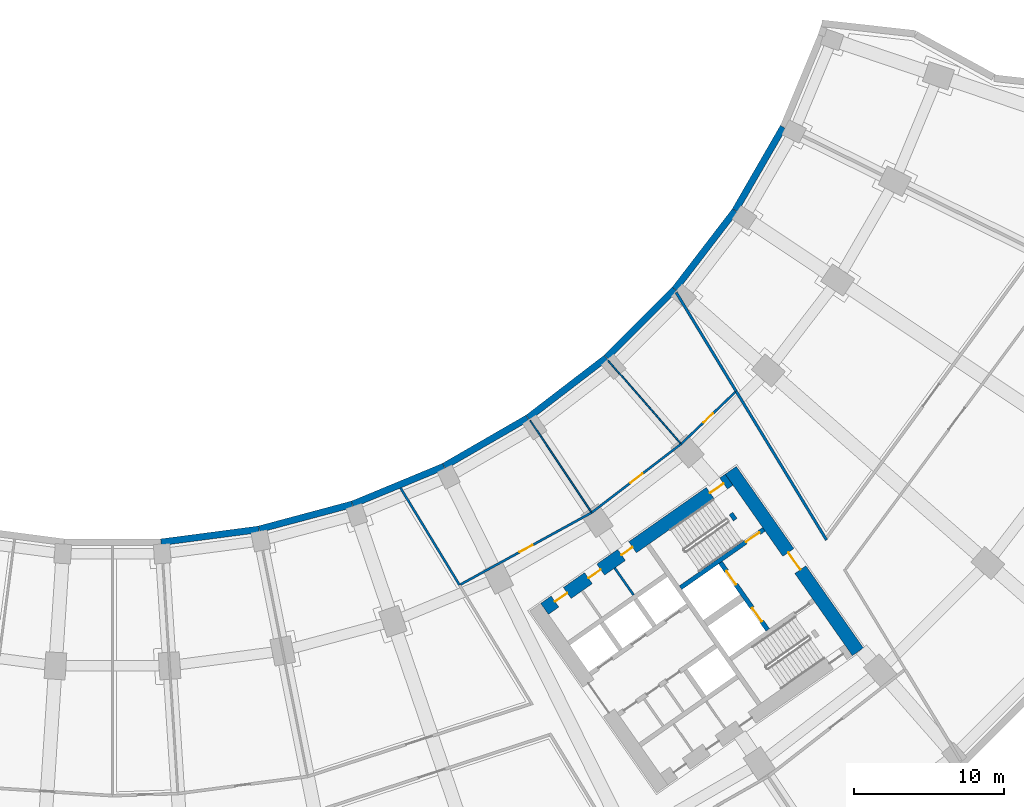
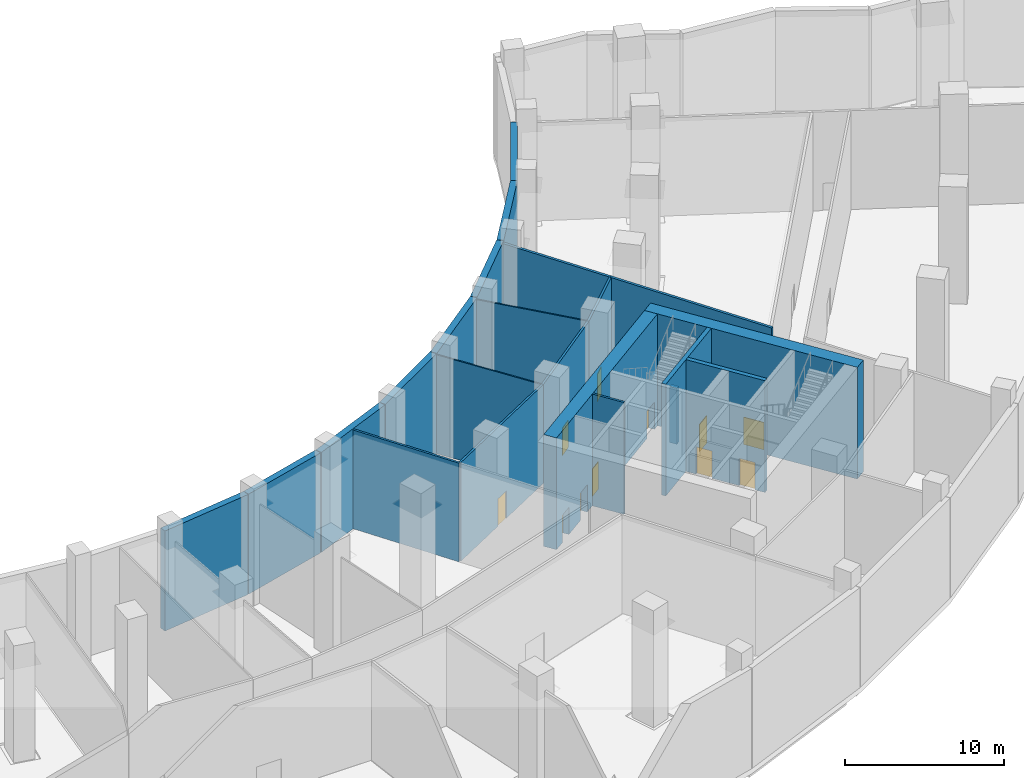
# One storey, part 9 of 19: 22 walls, 11 doors, 11 openings.
"""IFC4 building model written with IfcOpenShell, lengths in metres."""

from ifc_helpers import new_model, si_unit, direction, frame, frame_2d, origin, place, context, subcontext, project, spatial, rectangle, extrude, material, layer, layer_set, type_object, element, fill, save


model = new_model("IFC4")

# Units and contexts
model_context = context("Model", 3, precision=1e-05, world=origin(), true_north=direction((0.0, 1.0)))
body_context = subcontext(model_context, "Body", "Model", "MODEL_VIEW")
ifc_project = project(units=[si_unit("LENGTHUNIT", "METRE"), si_unit("AREAUNIT", "SQUARE_METRE"), si_unit("VOLUMEUNIT", "CUBIC_METRE"), si_unit("PLANEANGLEUNIT", "RADIAN"), si_unit("MASSUNIT", "GRAM", prefix="KILO")], contexts=[model_context])

# Site, building, storey
site_placement = place(None, origin())
site = spatial("IfcSite", under=ifc_project, at=site_placement, CompositionType="ELEMENT")
building_placement = place(site_placement, origin())
building = spatial("IfcBuilding", under=site, at=building_placement, Name="Qamariyya Broadcast Tower", CompositionType="ELEMENT")
storey_placement = place(building_placement, frame((0.0, 0.0, 9.0)))
storey = spatial("IfcBuildingStorey", under=building, at=storey_placement, Name="L01", CompositionType="ELEMENT", Elevation=9.0)

# Wall, opening, door
ifc_material_1 = material(Name="Concrete C70/85", Category="concrete")
ifc_layer_1 = layer(ifc_material_1, 0.89990234375)
ifc_layer_set_1 = layer_set([ifc_layer_1], Name="Core wall 900 mm Concrete C70/85")
wall_type_1 = type_object("IfcWallType", Name="Core wall 900 mm Concrete C70/85", PredefinedType="SHEAR", material=ifc_layer_set_1)
wall_1_placement = place(storey_placement, frame((49.778564453125, -57.191162109375, 0.0), z_axis=(0.0, 0.0, 1.0), x_axis=(-0.573577477574, 0.819151315216, 0.0)))
wall_1 = element("IfcWall", 1, at=wall_1_placement, inside=storey, type_object=wall_type_1, Name="k-E-L01-WH", PredefinedType="SHEAR", context=body_context, shape_type="SweptSolid", body=[
    extrude(rectangle(XDim=14.800048828125, YDim=0.89990234375, at=frame_2d((7.39990234375, 0.0))), origin(), (0.0, 0.0, 1.0), 8.60009765625),
])
opening_1_placement = place(wall_1_placement, frame((6.699951171875, 0.0, 0.0)))
opening_1 = element("IfcOpeningElement", 2, at=opening_1_placement, cuts=wall_1, Name="Opening KD2-E1", PredefinedType="OPENING", context=body_context, shape_type="SweptSolid", body=[
    extrude(rectangle(XDim=1.39990234375, YDim=2.10009765625, at=frame_2d((0.699951171875, 1.050048828125))), frame((0.0, 0.4599609375, 0.0), z_axis=(0.0, -1.0, 0.0), x_axis=(1.0, 0.0, 0.0)), (0.0, 0.0, 1.0), 0.919921875),
])
ifc_material_2 = material(Name="Steel fire-resisting door leaf", Category="steel")
door_type_1 = type_object("IfcDoorType", Name="Fire-fighting lobby door KD2", OperationType="DOUBLE_DOOR_SINGLE_SWING", PredefinedType="DOOR", material=ifc_material_2)
door_1_placement = place(opening_1_placement, origin())
door_1 = element("IfcDoor", 3, at=door_1_placement, inside=storey, type_object=door_type_1, Name="k-E-L01-WH-D16", OperationType="DOUBLE_DOOR_SINGLE_SWING", OverallHeight=2.10009765625, OverallWidth=1.39990234375, PredefinedType="DOOR", context=body_context, shape_type="SweptSolid", body=[
    extrude(rectangle(XDim=1.39990234375, YDim=2.10009765625, at=frame_2d((0.699951171875, 1.050048828125))), frame((0.0, 0.02490234375, 0.0), z_axis=(0.0, -1.0, 0.0), x_axis=(1.0, 0.0, 0.0)), (0.0, 0.0, 1.0), 0.050048828125),
])
fill(opening_1, door_1)

# Wall, openings, doors
wall_2_placement = place(storey_placement, frame((28.8544921875, -54.32421875, 0.0), z_axis=(0.0, 0.0, 1.0), x_axis=(0.819145767589, 0.573585400304, 0.0)))
wall_2 = element("IfcWall", 4, at=wall_2_placement, inside=storey, type_object=wall_type_1, Name="k-E-L01-WI", PredefinedType="SHEAR", context=body_context, shape_type="SweptSolid", body=[
    extrude(rectangle(XDim=15.04541015625, YDim=0.89990234375, at=frame_2d((7.522705078125, 0.0))), origin(), (0.0, 0.0, 1.0), 8.60009765625),
])
opening_2_placement = place(wall_2_placement, frame((0.85009765625, 0.0, 0.0)))
opening_2 = element("IfcOpeningElement", 5, at=opening_2_placement, cuts=wall_2, Name="Opening KD6-E3", PredefinedType="OPENING", context=body_context, shape_type="SweptSolid", body=[
    extrude(rectangle(XDim=1.0, YDim=2.10009765625, at=frame_2d((0.5, 1.050048828125))), frame((0.0, 0.4599609375, 0.0), z_axis=(0.0, -1.0, 0.0), x_axis=(1.0, 0.0, 0.0)), (0.0, 0.0, 1.0), 0.919921875),
])
opening_3_placement = place(wall_2_placement, frame((3.574951171875, 0.0, 0.0)))
opening_3 = element("IfcOpeningElement", 6, at=opening_3_placement, cuts=wall_2, Name="Opening KD7-E1", PredefinedType="OPENING", context=body_context, shape_type="SweptSolid", body=[
    extrude(rectangle(XDim=1.0, YDim=2.10009765625, at=frame_2d((0.5, 1.050048828125))), frame((0.0, 0.4599609375, 0.0), z_axis=(0.0, -1.0, 0.0), x_axis=(1.0, 0.0, 0.0)), (0.0, 0.0, 1.0), 0.919921875),
])
opening_4_placement = place(wall_2_placement, frame((6.27490234375, 0.0, 0.0)))
opening_4 = element("IfcOpeningElement", 7, at=opening_4_placement, cuts=wall_2, Name="Opening KD5-E1", PredefinedType="OPENING", context=body_context, shape_type="SweptSolid", body=[
    extrude(rectangle(XDim=0.89990234375, YDim=2.10009765625, at=frame_2d((0.449951171875, 1.050048828125))), frame((0.0, 0.4599609375, 0.0), z_axis=(0.0, -1.0, 0.0), x_axis=(1.0, 0.0, 0.0)), (0.0, 0.0, 1.0), 0.919921875),
])
opening_5_placement = place(wall_2_placement, frame((13.495361328125, 0.0, 0.0)))
opening_5 = element("IfcOpeningElement", 8, at=opening_5_placement, cuts=wall_2, Name="Opening KD1-E1", PredefinedType="OPENING", context=body_context, shape_type="SweptSolid", body=[
    extrude(rectangle(XDim=1.10009765625, YDim=2.10009765625, at=frame_2d((0.550048828125, 1.050048828125))), frame((0.0, 0.4599609375, 0.0), z_axis=(0.0, -1.0, 0.0), x_axis=(1.0, 0.0, 0.0)), (0.0, 0.0, 1.0), 0.919921875),
])
door_type_2 = type_object("IfcDoorType", Name="Accessible toilet door KD7", OperationType="SINGLE_SWING_LEFT", PredefinedType="DOOR", material=ifc_material_2)
door_2_placement = place(opening_3_placement, origin())
door_2 = element("IfcDoor", 9, at=door_2_placement, inside=storey, type_object=door_type_2, Name="k-E-L01-WI-D9", OperationType="SINGLE_SWING_LEFT", OverallHeight=2.10009765625, OverallWidth=1.0, PredefinedType="DOOR", context=body_context, shape_type="SweptSolid", body=[
    extrude(rectangle(XDim=1.0, YDim=2.10009765625, at=frame_2d((0.5, 1.050048828125))), frame((0.0, 0.02490234375, 0.0), z_axis=(0.0, -1.0, 0.0), x_axis=(1.0, 0.0, 0.0)), (0.0, 0.0, 1.0), 0.050048828125),
])
fill(opening_3, door_2)
door_type_3 = type_object("IfcDoorType", Name="Core room door KD6", OperationType="SINGLE_SWING_LEFT", PredefinedType="DOOR", material=ifc_material_2)
door_3_placement = place(opening_2_placement, origin())
door_3 = element("IfcDoor", 10, at=door_3_placement, inside=storey, type_object=door_type_3, Name="k-E-L01-WI-D8", OperationType="SINGLE_SWING_RIGHT", OverallHeight=2.10009765625, OverallWidth=1.0, PredefinedType="DOOR", context=body_context, shape_type="SweptSolid", body=[
    extrude(rectangle(XDim=1.0, YDim=2.10009765625, at=frame_2d((0.5, 1.050048828125))), frame((0.0, 0.02490234375, 0.0), z_axis=(0.0, -1.0, 0.0), x_axis=(1.0, 0.0, 0.0)), (0.0, 0.0, 1.0), 0.050048828125),
])
fill(opening_2, door_3)
door_type_4 = type_object("IfcDoorType", Name="Stair door KD1", OperationType="SINGLE_SWING_LEFT", PredefinedType="DOOR", material=ifc_material_2)
door_4_placement = place(opening_5_placement, origin())
door_4 = element("IfcDoor", 11, at=door_4_placement, inside=storey, type_object=door_type_4, Name="k-E-L01-WI-D17", OperationType="SINGLE_SWING_RIGHT", OverallHeight=2.10009765625, OverallWidth=1.10009765625, PredefinedType="DOOR", context=body_context, shape_type="SweptSolid", body=[
    extrude(rectangle(XDim=1.10009765625, YDim=2.10009765625, at=frame_2d((0.550048828125, 1.050048828125))), frame((0.0, 0.02490234375, 0.0), z_axis=(0.0, -1.0, 0.0), x_axis=(1.0, 0.0, 0.0)), (0.0, 0.0, 1.0), 0.050048828125),
])
fill(opening_5, door_4)
door_type_5 = type_object("IfcDoorType", Name="Toilet door KD5", OperationType="SINGLE_SWING_LEFT", PredefinedType="DOOR", material=ifc_material_2)
door_5_placement = place(opening_4_placement, origin())
door_5 = element("IfcDoor", 12, at=door_5_placement, inside=storey, type_object=door_type_5, Name="k-E-L01-WI-D10", OperationType="SINGLE_SWING_RIGHT", OverallHeight=2.10009765625, OverallWidth=0.89990234375, PredefinedType="DOOR", context=body_context, shape_type="SweptSolid", body=[
    extrude(rectangle(XDim=0.89990234375, YDim=2.10009765625, at=frame_2d((0.449951171875, 1.050048828125))), frame((0.0, 0.02490234375, 0.0), z_axis=(0.0, -1.0, 0.0), x_axis=(1.0, 0.0, 0.0)), (0.0, 0.0, 1.0), 0.050048828125),
])
fill(opening_4, door_5)

# Wall
ifc_material_3 = material(Name="Gypsum board partition")
ifc_layer_2 = layer(ifc_material_3, 0.14990234375)
ifc_layer_set_2 = layer_set([ifc_layer_2], Name="Corridor partition 150 EI 60")
wall_type_2 = type_object("IfcWallType", Name="Corridor partition 150 EI 60", PredefinedType="PARTITIONING", material=ifc_layer_set_2)
wall_3_placement = place(storey_placement, frame((19.2314453125, -46.2490234375, 0.0), z_axis=(0.0, 0.0, 1.0), x_axis=(0.519582509181, -0.854420280748, 0.0)))
element("IfcWall", 13, at=wall_3_placement, inside=storey, type_object=wall_type_2, Name="Partition L01-042", PredefinedType="PARTITIONING", context=body_context, shape_type="SweptSolid", body=[
    extrude(rectangle(XDim=7.588134765625, YDim=0.14990234375, at=frame_2d((3.7939453125, 0.0))), origin(), (0.0, 0.0, 1.0), 7.60009765625),
])

# Wall, opening, door
wall_4_placement = place(storey_placement, frame((23.239990234375, -52.696533203125, 0.0), z_axis=(0.0, 0.0, 1.0), x_axis=(0.876826033283, 0.480807765492, 0.0)))
wall_4 = element("IfcWall", 14, at=wall_4_placement, inside=storey, type_object=wall_type_2, Name="Partition L01-044", PredefinedType="PARTITIONING", context=body_context, shape_type="SweptSolid", body=[
    extrude(rectangle(XDim=9.991455078125, YDim=0.14990234375, at=frame_2d((4.99560546875, 0.0))), origin(), (0.0, 0.0, 1.0), 7.60009765625),
])
opening_6_placement = place(wall_4_placement, frame((4.495849609375, 0.0, 0.0)))
opening_6 = element("IfcOpeningElement", 15, at=opening_6_placement, cuts=wall_4, Name="Opening L01-D20", PredefinedType="OPENING", context=body_context, shape_type="SweptSolid", body=[
    extrude(rectangle(XDim=1.0, YDim=2.10009765625, at=frame_2d((0.5, 1.050048828125))), frame((0.0, 0.0849609375, 0.0), z_axis=(0.0, -1.0, 0.0), x_axis=(1.0, 0.0, 0.0)), (0.0, 0.0, 1.0), 0.169921875),
])
ifc_material_4 = material(Name="Timber fire door leaf", Category="wood")
door_type_6 = type_object("IfcDoorType", Name="Fire door 1000 x 2100 FD60", OperationType="NOTDEFINED", PredefinedType="DOOR", material=ifc_material_4)
door_6_placement = place(opening_6_placement, origin())
door_6 = element("IfcDoor", 16, at=door_6_placement, inside=storey, type_object=door_type_6, Name="Door L01-D20", OperationType="SINGLE_SWING_RIGHT", OverallHeight=2.10009765625, OverallWidth=1.0, PredefinedType="DOOR", context=body_context, shape_type="SweptSolid", body=[
    extrude(rectangle(XDim=1.0, YDim=2.10009765625, at=frame_2d((0.5, 1.050048828125))), frame((0.0, 0.02490234375, 0.0), z_axis=(0.0, -1.0, 0.0), x_axis=(1.0, 0.0, 0.0)), (0.0, 0.0, 1.0), 0.050048828125),
])
fill(opening_6, door_6)

wall_5_placement = place(storey_placement, frame((32.000732421875, -47.892578125, 0.0), z_axis=(0.0, 0.0, 1.0), x_axis=(0.793357001845, 0.60875665715, 0.0)))
wall_5 = element("IfcWall", 17, at=wall_5_placement, inside=storey, type_object=wall_type_2, Name="Partition L01-047", PredefinedType="PARTITIONING", context=body_context, shape_type="SweptSolid", body=[
    extrude(rectangle(XDim=7.534423828125, YDim=0.14990234375, at=frame_2d((3.76708984375, 0.0))), origin(), (0.0, 0.0, 1.0), 7.60009765625),
])
opening_7_placement = place(wall_5_placement, frame((3.267333984375, 0.0, 0.0)))
opening_7 = element("IfcOpeningElement", 18, at=opening_7_placement, cuts=wall_5, Name="Opening L01-D21", PredefinedType="OPENING", context=body_context, shape_type="SweptSolid", body=[
    extrude(rectangle(XDim=1.0, YDim=2.10009765625, at=frame_2d((0.5, 1.050048828125))), frame((0.0, 0.0849609375, 0.0), z_axis=(0.0, -1.0, 0.0), x_axis=(1.0, 0.0, 0.0)), (0.0, 0.0, 1.0), 0.169921875),
])
door_7_placement = place(opening_7_placement, origin())
door_7 = element("IfcDoor", 19, at=door_7_placement, inside=storey, type_object=door_type_6, Name="Door L01-D21", OperationType="SINGLE_SWING_RIGHT", OverallHeight=2.10009765625, OverallWidth=1.0, PredefinedType="DOOR", context=body_context, shape_type="SweptSolid", body=[
    extrude(rectangle(XDim=1.0, YDim=2.10009765625, at=frame_2d((0.5, 1.050048828125))), frame((0.0, 0.02490234375, 0.0), z_axis=(0.0, -1.0, 0.0), x_axis=(1.0, 0.0, 0.0)), (0.0, 0.0, 1.0), 0.050048828125),
])
fill(opening_7, door_7)

wall_6_placement = place(storey_placement, frame((37.978271484375, -43.305908203125, 0.0), z_axis=(0.0, 0.0, 1.0), x_axis=(0.72203095095, 0.691860756128, 0.0)))
wall_6 = element("IfcWall", 20, at=wall_6_placement, inside=storey, type_object=wall_type_2, Name="Partition L01-052", PredefinedType="PARTITIONING", context=body_context, shape_type="SweptSolid", body=[
    extrude(rectangle(XDim=4.992919921875, YDim=0.14990234375, at=frame_2d((2.49658203125, 0.0))), origin(), (0.0, 0.0, 1.0), 7.60009765625),
])
opening_8_placement = place(wall_6_placement, frame((2.04638671875, 0.0, 0.0)))
opening_8 = element("IfcOpeningElement", 21, at=opening_8_placement, cuts=wall_6, Name="Opening L01-D22", PredefinedType="OPENING", context=body_context, shape_type="SweptSolid", body=[
    extrude(rectangle(XDim=0.89990234375, YDim=2.10009765625, at=frame_2d((0.449951171875, 1.050048828125))), frame((0.0, 0.0849609375, 0.0), z_axis=(0.0, -1.0, 0.0), x_axis=(1.0, 0.0, 0.0)), (0.0, 0.0, 1.0), 0.169921875),
])
door_type_7 = type_object("IfcDoorType", Name="Fire door 900 x 2100 FD60", OperationType="NOTDEFINED", PredefinedType="DOOR", material=ifc_material_4)
door_8_placement = place(opening_8_placement, origin())
door_8 = element("IfcDoor", 22, at=door_8_placement, inside=storey, type_object=door_type_7, Name="Door L01-D22", OperationType="SINGLE_SWING_RIGHT", OverallHeight=2.10009765625, OverallWidth=0.89990234375, PredefinedType="DOOR", context=body_context, shape_type="SweptSolid", body=[
    extrude(rectangle(XDim=0.89990234375, YDim=2.10009765625, at=frame_2d((0.449951171875, 1.050048828125))), frame((0.0, 0.02490234375, 0.0), z_axis=(0.0, -1.0, 0.0), x_axis=(1.0, 0.0, 0.0)), (0.0, 0.0, 1.0), 0.050048828125),
])
fill(opening_8, door_8)

# Wall
ifc_material_5 = material(Name="Gypsum board partition on steel studs", Category="steel")
ifc_layer_3 = layer(ifc_material_5, 0.14990234375)
ifc_layer_set_3 = layer_set([ifc_layer_3], Name="Gypsum board partition 150 mm")
wall_type_3 = type_object("IfcWallType", Name="Gypsum board partition 150 mm", PredefinedType="PARTITIONING", material=ifc_layer_set_3)
wall_7_placement = place(storey_placement, frame((34.798095703125, -53.3974609375, 0.0), z_axis=(0.0, 0.0, 1.0), x_axis=(-0.573633636671, 0.819111989218, 0.0)))
element("IfcWall", 23, at=wall_7_placement, inside=storey, type_object=wall_type_3, Name="k-E-L01-NP540", PredefinedType="PARTITIONING", context=body_context, shape_type="SweptSolid", body=[
    extrude(rectangle(XDim=2.199951171875, YDim=0.14990234375, at=frame_2d((1.10009765625, 0.0))), origin(), (0.0, 0.0, 1.0), 8.60009765625),
])

# Wall, opening, door
ifc_material_6 = material(Name="Concrete C60/75", Category="concrete")
ifc_layer_4 = layer(ifc_material_6, 0.300048828125)
ifc_layer_set_4 = layer_set([ifc_layer_4], Name="Lift shaft wall 300 mm Concrete C60/75")
wall_type_4 = type_object("IfcWallType", Name="Lift shaft wall 300 mm Concrete C60/75", PredefinedType="SOLIDWALL", material=ifc_layer_set_4)
wall_8_placement = place(storey_placement, frame((37.935546875, -52.90966796875, 0.0), z_axis=(0.0, 0.0, 1.0), x_axis=(0.819147518138, 0.57358290031, 0.0)))
wall_8 = element("IfcWall", 24, at=wall_8_placement, inside=storey, type_object=wall_type_4, Name="k-E-L01-NW", PredefinedType="SOLIDWALL", context=body_context, shape_type="SweptSolid", body=[
    extrude(rectangle(XDim=6.79541015625, YDim=0.300048828125, at=frame_2d((3.397705078125, 0.0))), origin(), (0.0, 0.0, 1.0), 8.60009765625),
])
opening_9_placement = place(wall_8_placement, frame((5.3203125, 0.0, 0.0)))
opening_9 = element("IfcOpeningElement", 25, at=opening_9_placement, cuts=wall_8, Name="Opening KD1-E2", PredefinedType="OPENING", context=body_context, shape_type="SweptSolid", body=[
    extrude(rectangle(XDim=1.10009765625, YDim=2.10009765625, at=frame_2d((0.550048828125, 1.050048828125))), frame((0.0, 0.159912109375, 0.0), z_axis=(0.0, -1.0, 0.0), x_axis=(1.0, 0.0, 0.0)), (0.0, 0.0, 1.0), 0.320068359375),
])
door_9_placement = place(opening_9_placement, origin())
door_9 = element("IfcDoor", 26, at=door_9_placement, inside=storey, type_object=door_type_4, Name="k-E-L01-NW-D18", OperationType="SINGLE_SWING_RIGHT", OverallHeight=2.10009765625, OverallWidth=1.10009765625, PredefinedType="DOOR", context=body_context, shape_type="SweptSolid", body=[
    extrude(rectangle(XDim=1.10009765625, YDim=2.10009765625, at=frame_2d((0.550048828125, 1.050048828125))), frame((0.0, 0.02490234375, 0.0), z_axis=(0.0, -1.0, 0.0), x_axis=(1.0, 0.0, 0.0)), (0.0, 0.0, 1.0), 0.050048828125),
])
fill(opening_9, door_9)

# Wall, openings, doors
wall_9_placement = place(storey_placement, frame((43.756591796875, -55.731201171875, 0.0), z_axis=(0.0, 0.0, 1.0), x_axis=(-0.573536818435, 0.819179783625, 0.0)))
wall_9 = element("IfcWall", 27, at=wall_9_placement, inside=storey, type_object=wall_type_4, Name="k-E-L01-FF", PredefinedType="SOLIDWALL", context=body_context, shape_type="SweptSolid", body=[
    extrude(rectangle(XDim=5.500244140625, YDim=0.300048828125, at=frame_2d((2.75, 0.0))), origin(), (0.0, 0.0, 1.0), 8.60009765625),
])
opening_10_placement = place(wall_9_placement, frame((0.699951171875, 0.0, 0.0)))
opening_10 = element("IfcOpeningElement", 28, at=opening_10_placement, cuts=wall_9, Name="Opening LD", PredefinedType="OPENING", context=body_context, shape_type="SweptSolid", body=[
    extrude(rectangle(XDim=1.10009765625, YDim=2.10009765625, at=frame_2d((0.550048828125, 1.050048828125))), frame((0.0, 0.159912109375, 0.0), z_axis=(0.0, -1.0, 0.0), x_axis=(1.0, 0.0, 0.0)), (0.0, 0.0, 1.0), 0.320068359375),
])
opening_11_placement = place(wall_9_placement, frame((3.699951171875, 0.0, 0.0)))
opening_11 = element("IfcOpeningElement", 29, at=opening_11_placement, cuts=wall_9, Name="Opening LD", PredefinedType="OPENING", context=body_context, shape_type="SweptSolid", body=[
    extrude(rectangle(XDim=1.10009765625, YDim=2.10009765625, at=frame_2d((0.550048828125, 1.050048828125))), frame((0.0, 0.159912109375, 0.0), z_axis=(0.0, -1.0, 0.0), x_axis=(1.0, 0.0, 0.0)), (0.0, 0.0, 1.0), 0.320068359375),
])
door_type_8 = type_object("IfcDoorType", Name="Lift landing door LD", OperationType="DOUBLE_DOOR_SLIDING", PredefinedType="DOOR", material=ifc_material_2)
door_10_placement = place(opening_10_placement, origin())
door_10 = element("IfcDoor", 30, at=door_10_placement, inside=storey, type_object=door_type_8, Name="k-E-L01-FF-D14", OperationType="DOUBLE_DOOR_SLIDING", OverallHeight=2.10009765625, OverallWidth=1.10009765625, PredefinedType="DOOR", context=body_context, shape_type="SweptSolid", body=[
    extrude(rectangle(XDim=1.10009765625, YDim=2.10009765625, at=frame_2d((0.550048828125, 1.050048828125))), frame((0.0, 0.02490234375, 0.0), z_axis=(0.0, -1.0, 0.0), x_axis=(1.0, 0.0, 0.0)), (0.0, 0.0, 1.0), 0.050048828125),
])
fill(opening_10, door_10)
door_11_placement = place(opening_11_placement, origin())
door_11 = element("IfcDoor", 31, at=door_11_placement, inside=storey, type_object=door_type_8, Name="k-E-L01-FF-D15", OperationType="DOUBLE_DOOR_SLIDING", OverallHeight=2.10009765625, OverallWidth=1.10009765625, PredefinedType="DOOR", context=body_context, shape_type="SweptSolid", body=[
    extrude(rectangle(XDim=1.10009765625, YDim=2.10009765625, at=frame_2d((0.550048828125, 1.050048828125))), frame((0.0, 0.02490234375, 0.0), z_axis=(0.0, -1.0, 0.0), x_axis=(1.0, 0.0, 0.0)), (0.0, 0.0, 1.0), 0.050048828125),
])
fill(opening_11, door_11)

# Walls
wall_10_placement = place(storey_placement, frame((41.30029296875, -47.959716796875, 0.0), z_axis=(0.0, 0.0, 1.0), x_axis=(0.573495128918, -0.819208970354, 0.0)))
element("IfcWall", 32, at=wall_10_placement, inside=storey, type_object=wall_type_4, Name="k-E-L01-E2PR", PredefinedType="SOLIDWALL", context=body_context, shape_type="SweptSolid", body=[
    extrude(rectangle(XDim=0.499755859375, YDim=0.300048828125, at=frame_2d((0.25, 0.0))), origin(), (0.0, 0.0, 1.0), 4.300048828125),
])
ifc_layer_5 = layer(ifc_material_3, 0.10009765625)
ifc_layer_set_5 = layer_set([ifc_layer_5], Name="Partition 100")
wall_type_5 = type_object("IfcWallType", Name="Partition 100", PredefinedType="PARTITIONING", material=ifc_layer_set_5)
for number, where, z_axis, x_axis, name in (
    (33, (27.8896484375, -41.73974609375, 0.0), (0.0, 0.0, 1.0), (0.555569023768, -0.831470420297, 0.0), "Partition L01-045"),
    (34, (33.09912109375, -37.742431640625, 0.0), (0.0, 0.0, 1.0), (0.659365444899, -0.751822592154, 0.0), "Partition L01-048"),
):
    element("IfcWall", number, at=place(storey_placement, frame(where, z_axis=z_axis, x_axis=x_axis)), inside=storey, type_object=wall_type_5, Name=name, PredefinedType="PARTITIONING", context=body_context, shape_type="SweptSolid", body=[
        extrude(rectangle(XDim=7.324951171875, YDim=0.10009765625, at=frame_2d((3.66259765625, 0.0))), origin(), (0.0, 0.0, 1.0), 7.60009765625),
    ])
ifc_material_7 = material(Name="Precast concrete C40/50 with terracotta facing", Category="masonry")
ifc_layer_6 = layer(ifc_material_7, 0.449951171875)
ifc_layer_set_6 = layer_set([ifc_layer_6], Name="Precast concrete C40/50 wall 450, terracotta faced")
wall_type_6 = type_object("IfcWallType", Name="Precast concrete C40/50 wall 450, terracotta faced", PredefinedType="SOLIDWALL", material=ifc_layer_set_6)
wall_11_placement = place(storey_placement, frame((9.779541015625, -49.01123046875, 0.0), z_axis=(0.0, 0.0, 1.0), x_axis=(-0.991445350147, -0.130522479563, 0.0)))
element("IfcWall", 35, at=wall_11_placement, inside=storey, type_object=wall_type_6, Name="e-wl-L01-in110", PredefinedType="SOLIDWALL", context=body_context, shape_type="SweptSolid", body=[
    extrude(rectangle(XDim=6.59716796875, YDim=0.449951171875, at=frame_2d((3.298583984375, 0.0))), origin(), (0.0, 0.0, 1.0), 7.699951171875),
])
wall_12_placement = place(storey_placement, frame((16.007080078125, -47.338623046875, 0.0), z_axis=(0.0, 0.0, 1.0), x_axis=(-0.965926830738, -0.25881529642, 0.0)))
element("IfcWall", 36, at=wall_12_placement, inside=storey, type_object=wall_type_6, Name="e-wl-L01-in120", PredefinedType="SOLIDWALL", context=body_context, shape_type="SweptSolid", body=[
    extrude(rectangle(XDim=6.419189453125, YDim=0.449951171875, at=frame_2d((3.20947265625, 0.0))), origin(), (0.0, 0.0, 1.0), 7.699951171875),
])
wall_13_placement = place(storey_placement, frame((22.13134765625, -44.81005859375, 0.0), z_axis=(0.0, 0.0, 1.0), x_axis=(-0.923877459804, -0.382688436284, 0.0)))
element("IfcWall", 37, at=wall_13_placement, inside=storey, type_object=wall_type_6, Name="e-wl-L01-in130", PredefinedType="SOLIDWALL", context=body_context, shape_type="SweptSolid", body=[
    extrude(rectangle(XDim=6.59716796875, YDim=0.449951171875, at=frame_2d((3.298583984375, 0.0))), origin(), (0.0, 0.0, 1.0), 7.699951171875),
])
wall_14_placement = place(storey_placement, frame((27.7138671875, -41.58251953125, 0.0), z_axis=(0.0, 0.0, 1.0), x_axis=(-0.866022817921, -0.50000447882, 0.0)))
element("IfcWall", 38, at=wall_14_placement, inside=storey, type_object=wall_type_6, Name="e-wl-L01-in140", PredefinedType="SOLIDWALL", context=body_context, shape_type="SweptSolid", body=[
    extrude(rectangle(XDim=6.41943359375, YDim=0.449951171875, at=frame_2d((3.209716796875, 0.0))), origin(), (0.0, 0.0, 1.0), 7.699951171875),
])
wall_15_placement = place(storey_placement, frame((32.974853515625, -37.55517578125, 0.0), z_axis=(0.0, 0.0, 1.0), x_axis=(-0.793338838284, -0.608780327927, 0.0)))
element("IfcWall", 39, at=wall_15_placement, inside=storey, type_object=wall_type_6, Name="e-wl-L01-in150", PredefinedType="SOLIDWALL", context=body_context, shape_type="SweptSolid", body=[
    extrude(rectangle(XDim=6.596923828125, YDim=0.449951171875, at=frame_2d((3.29833984375, 0.0))), origin(), (0.0, 0.0, 1.0), 7.699951171875),
])
wall_16_placement = place(storey_placement, frame((37.531982421875, -32.992919921875, 0.0), z_axis=(0.0, 0.0, 1.0), x_axis=(-0.707106781187, -0.707106781187, 0.0)))
element("IfcWall", 40, at=wall_16_placement, inside=storey, type_object=wall_type_6, Name="e-wl-L01-in160", PredefinedType="SOLIDWALL", context=body_context, shape_type="SweptSolid", body=[
    extrude(rectangle(XDim=6.419189453125, YDim=0.449951171875, at=frame_2d((3.20947265625, 0.0))), origin(), (0.0, 0.0, 1.0), 7.699951171875),
])
wall_17_placement = place(storey_placement, frame((41.5712890625, -27.7412109375, 0.0), z_axis=(0.0, 0.0, 1.0), x_axis=(-0.608780327927, -0.793338838284, 0.0)))
element("IfcWall", 41, at=wall_17_placement, inside=storey, type_object=wall_type_6, Name="e-wl-L01-in170", PredefinedType="SOLIDWALL", context=body_context, shape_type="SweptSolid", body=[
    extrude(rectangle(XDim=6.596923828125, YDim=0.449951171875, at=frame_2d((3.29833984375, 0.0))), origin(), (0.0, 0.0, 1.0), 7.699951171875),
])
wall_18_placement = place(storey_placement, frame((44.792236328125, -22.154541015625, 0.0), z_axis=(0.0, 0.0, 1.0), x_axis=(-0.50000447882, -0.866022817921, 0.0)))
element("IfcWall", 42, at=wall_18_placement, inside=storey, type_object=wall_type_6, Name="e-wl-L01-in180", PredefinedType="SOLIDWALL", context=body_context, shape_type="SweptSolid", body=[
    extrude(rectangle(XDim=6.41943359375, YDim=0.449951171875, at=frame_2d((3.209716796875, 0.0))), origin(), (0.0, 0.0, 1.0), 7.699951171875),
])
ifc_layer_7 = layer(ifc_material_3, 0.179931640625)
ifc_layer_set_7 = layer_set([ifc_layer_7], Name="Studio acoustic partition 180 EI 60")
wall_type_7 = type_object("IfcWallType", Name="Studio acoustic partition 180 EI 60", PredefinedType="PARTITIONING", material=ifc_layer_set_7)
wall_19_placement = place(storey_placement, frame((37.6376953125, -33.18701171875, 0.0), z_axis=(0.0, 0.0, 1.0), x_axis=(0.519163683086, -0.854674833, 0.0)))
element("IfcWall", 43, at=wall_19_placement, inside=storey, type_object=wall_type_7, Name="Partition L01-051", PredefinedType="PARTITIONING", context=body_context, shape_type="SweptSolid", body=[
    extrude(rectangle(XDim=7.724853515625, YDim=0.179931640625, at=frame_2d((3.8623046875, 0.0))), origin(), (0.0, 0.0, 1.0), 7.60009765625),
])
wall_20_placement = place(storey_placement, frame((41.648193359375, -39.789306640625, 0.0), z_axis=(0.0, 0.0, 1.0), x_axis=(0.519150836569, -0.854682636357, 0.0)))
element("IfcWall", 44, at=wall_20_placement, inside=storey, type_object=wall_type_7, Name="Partition L01-053", PredefinedType="PARTITIONING", context=body_context, shape_type="SweptSolid", body=[
    extrude(rectangle(XDim=11.619384765625, YDim=0.179931640625, at=frame_2d((5.8095703125, 0.0))), origin(), (0.0, 0.0, 1.0), 7.60009765625),
])

save(model, "model.ifc")
